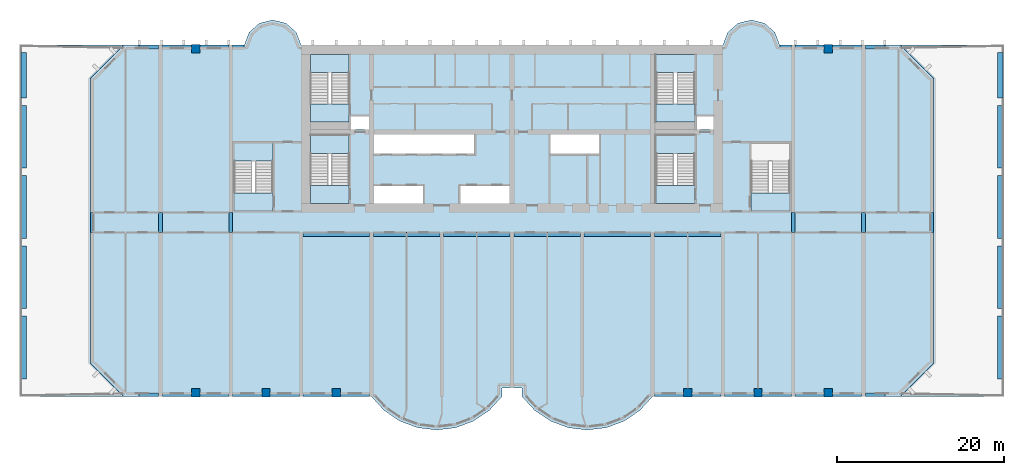
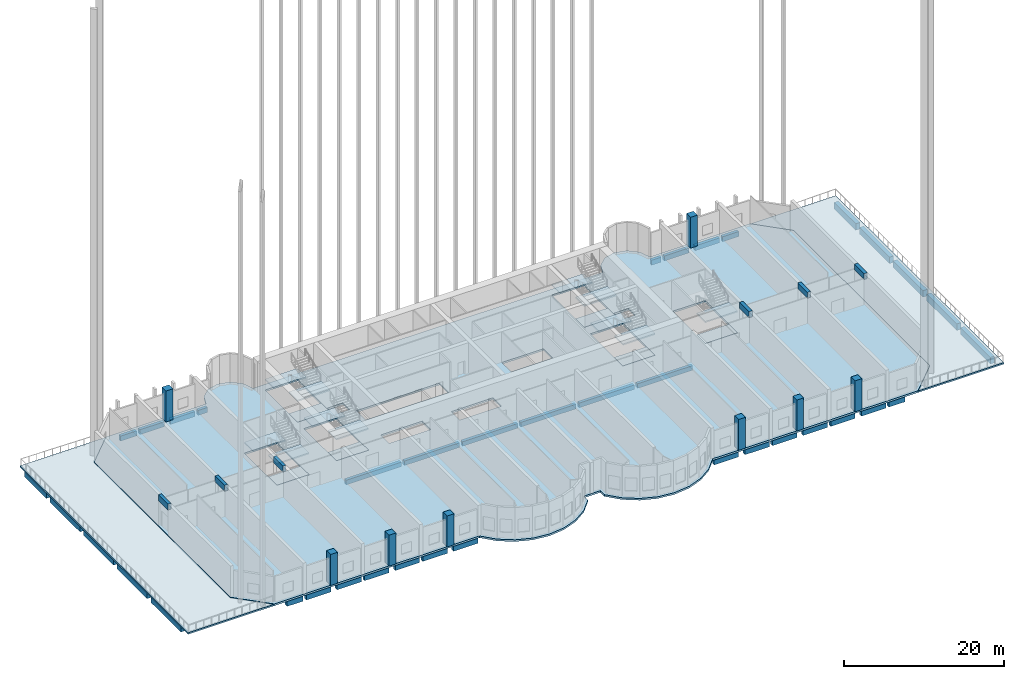
# One storey, part 1 of 11: 44 beams, 20 slabs, 8 columns, 6 elements without a shape of their own.
"""IFC4 building model written with IfcOpenShell, lengths in metres."""

from ifc_helpers import new_model, si_unit, direction, frame, origin, origin_2d, place, context, subcontext, project, spatial, polyline, rectangle, outline, extrude, source, transform, mapped, material, layer, layer_set, material_profile, profile_set, type_object, element, aggregate, save


model = new_model("IFC4")

# Units and contexts
model_context = context("Model", 3, precision=1e-05, world=origin(), true_north=direction((0.0, 1.0)))
body_context = subcontext(model_context, "Body", "Model", "MODEL_VIEW")
ifc_project = project(units=[si_unit("LENGTHUNIT", "METRE"), si_unit("AREAUNIT", "SQUARE_METRE"), si_unit("VOLUMEUNIT", "CUBIC_METRE"), si_unit("PLANEANGLEUNIT", "RADIAN"), si_unit("MASSUNIT", "GRAM", prefix="KILO")], contexts=[model_context])

# Site, building, storey
site_placement = place(None, origin())
site = spatial("IfcSite", under=ifc_project, at=site_placement, CompositionType="ELEMENT")
building_placement = place(site_placement, origin())
building = spatial("IfcBuilding", under=site, at=building_placement, Name="Vanashikhar Sky Hotel", CompositionType="ELEMENT")
storey_placement = place(building_placement, frame((0.0, 0.0, 18.0)))
storey = spatial("IfcBuildingStorey", under=building, at=storey_placement, Name="L03", CompositionType="ELEMENT", Elevation=18.0)

# Columns
ifc_material_1 = material(Name="Concrete M70", Category="concrete")
ifc_material_profile_1 = material_profile(ifc_material_1, rectangle(XDim=1.0, YDim=1.0, at=origin_2d()))
ifc_profile_set_1 = profile_set([ifc_material_profile_1], Name="RC 1000x1000 column Concrete M70")
column_type = type_object("IfcColumnType", Name="RC 1000x1000 column Concrete M70", PredefinedType="COLUMN", material=ifc_profile_set_1)
shared_shape_1 = source(origin(), body_context, "Body", "SweptSolid", [
    extrude(rectangle(XDim=1.0, YDim=1.0, at=origin_2d()), origin(), (0.0, 0.0, 1.0), 4.719970703125),
])
for number, where, z_axis, x_axis, name in (
    (1, (12.60009765625, 0.449951171875, 0.0), (0.0, 0.0, 1.0), (1.0, 0.0, 0.0), "CL-L03-CF02"),
    (2, (21.0, 0.449951171875, 0.0), (0.0, 0.0, 1.0), (1.0, 0.0, 0.0), "CL-L03-CF03"),
    (3, (29.39990234375, 0.449951171875, 0.0), (0.0, 0.0, 1.0), (1.0, 0.0, 0.0), "CL-L03-CF04"),
    (4, (71.39990234375, 0.449951171875, 0.0), (0.0, 0.0, 1.0), (1.0, 0.0, 0.0), "CL-L03-CF09"),
    (5, (79.800048828125, 0.449951171875, 0.0), (0.0, 0.0, 1.0), (1.0, 0.0, 0.0), "CL-L03-CF10"),
    (6, (88.199951171875, 0.449951171875, 0.0), (0.0, 0.0, 1.0), (1.0, 0.0, 0.0), "CL-L03-CF11"),
    (7, (12.60009765625, 41.550048828125, 0.0), (0.0, 0.0, 1.0), (1.0, 0.0, 0.0), "CL-L03-CR02"),
    (8, (88.199951171875, 41.550048828125, 0.0), (0.0, 0.0, 1.0), (1.0, 0.0, 0.0), "CL-L03-CR11"),
):
    element("IfcColumn", number, at=place(storey_placement, frame(where, z_axis=z_axis, x_axis=x_axis)), inside=storey, type_object=column_type, Name=name, PredefinedType="COLUMN", context=body_context, shape_type="MappedRepresentation", body=[
        mapped(shared_shape_1, transform((0.0, 0.0, 0.0), scale=1.0)),
    ])

# Beams
ifc_material_2 = material(Name="Concrete M50", Category="concrete")
ifc_material_profile_2 = material_profile(ifc_material_2, rectangle(XDim=0.449951171875, YDim=0.89990234375, at=origin_2d()))
ifc_profile_set_2 = profile_set([ifc_material_profile_2], Name="RC 450x900 beam Concrete M50")
beam_type_1 = type_object("IfcBeamType", Name="RC 450x900 beam Concrete M50", PredefinedType="LINTEL", material=ifc_profile_set_2)
shared_shape_2 = source(origin(), body_context, "Body", "SweptSolid", [
    extrude(rectangle(XDim=0.449951171875, YDim=0.89990234375, at=origin_2d()), origin(), (0.0, 0.0, 1.0), 2.39990234375),
])
for number, where, z_axis, x_axis, name in (
    (9, (0.22509765625, 19.60009765625, 4.27001953125), (0.0, 1.0, 0.0), (-1.0, 0.0, 0.0), "LB-L03-XW01"),
    (10, (8.39990234375, 19.60009765625, 4.27001953125), (0.0, 1.0, 0.0), (-1.0, 0.0, 0.0), "LB-L03-XW02"),
    (11, (16.800048828125, 19.60009765625, 4.27001953125), (0.0, 1.0, 0.0), (-1.0, 0.0, 0.0), "LB-L03-XW03"),
    (12, (84.0, 19.60009765625, 4.27001953125), (0.0, 1.0, 0.0), (-1.0, 0.0, 0.0), "LB-L03-XW11"),
    (13, (92.39990234375, 19.60009765625, 4.27001953125), (0.0, 1.0, 0.0), (-1.0, 0.0, 0.0), "LB-L03-XW12"),
    (14, (100.574951171875, 19.60009765625, 4.27001953125), (0.0, 1.0, 0.0), (-1.0, 0.0, 0.0), "LB-L03-XW13"),
):
    element("IfcBeam", number, at=place(storey_placement, frame(where, z_axis=z_axis, x_axis=x_axis)), inside=storey, type_object=beam_type_1, Name=name, PredefinedType="LINTEL", context=body_context, shape_type="MappedRepresentation", body=[
        mapped(shared_shape_2, transform((0.0, 0.0, 0.0), scale=1.0)),
    ])
ifc_material_profile_3 = material_profile(ifc_material_2, rectangle(XDim=0.449951171875, YDim=0.75, at=origin_2d()))
ifc_profile_set_3 = profile_set([ifc_material_profile_3], Name="RC 450x750 beam Concrete M50")
beam_type_2 = type_object("IfcBeamType", Name="RC 450x750 beam Concrete M50", PredefinedType="SPANDREL", material=ifc_profile_set_3)
shared_shape_3 = source(origin(), body_context, "Body", "SweptSolid", [
    extrude(rectangle(XDim=0.449951171875, YDim=0.75, at=origin_2d()), origin(), (0.0, 0.0, 1.0), 3.52490234375),
])
for number, where, z_axis, x_axis, name in (
    (15, (8.625, 0.22509765625, -0.655029296875), (1.0, 0.0, 0.0), (0.0, 1.0, 0.0), "EB-L03-F01"),
    (16, (13.050048828125, 0.22509765625, -0.655029296875), (1.0, 0.0, 0.0), (0.0, 1.0, 0.0), "EB-L03-F02"),
    (17, (25.425048828125, 0.22509765625, -0.655029296875), (1.0, 0.0, 0.0), (0.0, 1.0, 0.0), "EB-L03-F05"),
    (18, (29.85009765625, 0.22509765625, -0.655029296875), (1.0, 0.0, 0.0), (0.0, 1.0, 0.0), "EB-L03-F06"),
    (19, (67.425048828125, 0.22509765625, -0.655029296875), (1.0, 0.0, 0.0), (0.0, 1.0, 0.0), "EB-L03-F08"),
    (20, (71.85009765625, 0.22509765625, -0.655029296875), (1.0, 0.0, 0.0), (0.0, 1.0, 0.0), "EB-L03-F09"),
    (21, (80.25, 0.22509765625, -0.655029296875), (1.0, 0.0, 0.0), (0.0, 1.0, 0.0), "EB-L03-F11"),
    (22, (84.22509765625, 0.22509765625, -0.655029296875), (1.0, 0.0, 0.0), (0.0, 1.0, 0.0), "EB-L03-F12"),
    (23, (8.625, 41.77490234375, -0.655029296875), (1.0, 0.0, 0.0), (0.0, 1.0, 0.0), "EB-L03-R01"),
    (24, (13.050048828125, 41.77490234375, -0.655029296875), (1.0, 0.0, 0.0), (0.0, 1.0, 0.0), "EB-L03-R02"),
    (25, (84.22509765625, 41.77490234375, -0.655029296875), (1.0, 0.0, 0.0), (0.0, 1.0, 0.0), "EB-L03-R05"),
):
    element("IfcBeam", number, at=place(storey_placement, frame(where, z_axis=z_axis, x_axis=x_axis)), inside=storey, type_object=beam_type_2, Name=name, PredefinedType="SPANDREL", context=body_context, shape_type="MappedRepresentation", body=[
        mapped(shared_shape_3, transform((0.0, 0.0, 0.0), scale=1.0)),
    ])
shared_shape_4 = source(origin(), body_context, "Body", "SweptSolid", [
    extrude(rectangle(XDim=0.449951171875, YDim=0.75, at=origin_2d()), origin(), (0.0, 0.0, 1.0), 3.525146484375),
])
for number, where, z_axis, x_axis, name in (
    (26, (17.02490234375, 0.22509765625, -0.655029296875), (1.0, 0.0, 0.0), (0.0, 1.0, 0.0), "EB-L03-F03"),
    (27, (21.449951171875, 0.22509765625, -0.655029296875), (1.0, 0.0, 0.0), (0.0, 1.0, 0.0), "EB-L03-F04"),
    (28, (75.824951171875, 0.22509765625, -0.655029296875), (1.0, 0.0, 0.0), (0.0, 1.0, 0.0), "EB-L03-F10"),
    (29, (88.64990234375, 0.22509765625, -0.655029296875), (1.0, 0.0, 0.0), (0.0, 1.0, 0.0), "EB-L03-F13"),
    (30, (88.64990234375, 41.77490234375, -0.655029296875), (1.0, 0.0, 0.0), (0.0, 1.0, 0.0), "EB-L03-R06"),
):
    element("IfcBeam", number, at=place(storey_placement, frame(where, z_axis=z_axis, x_axis=x_axis)), inside=storey, type_object=beam_type_2, Name=name, PredefinedType="SPANDREL", context=body_context, shape_type="MappedRepresentation", body=[
        mapped(shared_shape_4, transform((0.0, 0.0, 0.0), scale=1.0)),
    ])
ifc_material_profile_4 = material_profile(ifc_material_2, rectangle(XDim=0.449951171875, YDim=0.75, at=origin_2d()))
ifc_profile_set_4 = profile_set([ifc_material_profile_4], Name="RC 450x750 cantilever beam Concrete M50")
beam_type_3 = type_object("IfcBeamType", Name="RC 450x750 cantilever beam Concrete M50", PredefinedType="SPANDREL", material=ifc_profile_set_4)
shared_shape_5 = source(origin(), body_context, "Body", "SweptSolid", [
    extrude(rectangle(XDim=0.449951171875, YDim=0.75, at=origin_2d()), origin(), (0.0, 0.0, 1.0), 2.330078125),
])
for number, where, z_axis, x_axis, name in (
    (31, (5.844970703125, 0.22509765625, -0.655029296875), (1.0, 0.0, 0.0), (0.0, 1.0, 0.0), "EB-L03-F07"),
    (32, (92.625, 0.22509765625, -0.655029296875), (1.0, 0.0, 0.0), (0.0, 1.0, 0.0), "EB-L03-F14"),
    (33, (5.844970703125, 41.77490234375, -0.655029296875), (1.0, 0.0, 0.0), (0.0, 1.0, 0.0), "EB-L03-R03"),
    (34, (92.625, 41.77490234375, -0.655029296875), (1.0, 0.0, 0.0), (0.0, 1.0, 0.0), "EB-L03-R08"),
):
    element("IfcBeam", number, at=place(storey_placement, frame(where, z_axis=z_axis, x_axis=x_axis)), inside=storey, type_object=beam_type_3, Name=name, PredefinedType="SPANDREL", context=body_context, shape_type="MappedRepresentation", body=[
        mapped(shared_shape_5, transform((0.0, 0.0, 0.0), scale=1.0)),
    ])
shared_shape_6 = source(origin(), body_context, "Body", "SweptSolid", [
    extrude(rectangle(XDim=0.449951171875, YDim=0.75, at=origin_2d()), origin(), (0.0, 0.0, 1.0), 1.375),
])
for number, where, z_axis, x_axis, name in (
    (35, (17.02490234375, 41.77490234375, -0.655029296875), (1.0, 0.0, 0.0), (0.0, 1.0, 0.0), "EB-L03-R04"),
    (36, (82.39990234375, 41.77490234375, -0.655029296875), (1.0, 0.0, 0.0), (0.0, 1.0, 0.0), "EB-L03-R07"),
):
    element("IfcBeam", number, at=place(storey_placement, frame(where, z_axis=z_axis, x_axis=x_axis)), inside=storey, type_object=beam_type_3, Name=name, PredefinedType="SPANDREL", context=body_context, shape_type="MappedRepresentation", body=[
        mapped(shared_shape_6, transform((0.0, 0.0, 0.0), scale=1.0)),
    ])
ifc_material_profile_5 = material_profile(ifc_material_2, rectangle(XDim=0.449951171875, YDim=0.699951171875, at=origin_2d()))
ifc_profile_set_5 = profile_set([ifc_material_profile_5], Name="RC 450x700 beam Concrete M50")
beam_type_4 = type_object("IfcBeamType", Name="RC 450x700 beam Concrete M50", PredefinedType="BEAM", material=ifc_profile_set_5)
shared_shape_7 = source(origin(), body_context, "Body", "SweptSolid", [
    extrude(rectangle(XDim=0.449951171875, YDim=0.699951171875, at=origin_2d()), origin(), (0.0, 0.0, 1.0), 7.949951171875),
])
for number, where, z_axis, x_axis, name in (
    (37, (25.425048828125, 19.375, -0.6298828125), (1.0, 0.0, 0.0), (0.0, 1.0, 0.0), "CB-L03-01"),
    (38, (33.824951171875, 19.375, -0.6298828125), (1.0, 0.0, 0.0), (0.0, 1.0, 0.0), "CB-L03-02"),
    (39, (42.22509765625, 19.375, -0.6298828125), (1.0, 0.0, 0.0), (0.0, 1.0, 0.0), "CB-L03-03"),
    (40, (50.625, 19.375, -0.6298828125), (1.0, 0.0, 0.0), (0.0, 1.0, 0.0), "CB-L03-04"),
    (41, (67.425048828125, 19.375, -0.6298828125), (1.0, 0.0, 0.0), (0.0, 1.0, 0.0), "CB-L03-06"),
):
    element("IfcBeam", number, at=place(storey_placement, frame(where, z_axis=z_axis, x_axis=x_axis)), inside=storey, type_object=beam_type_4, Name=name, PredefinedType="BEAM", context=body_context, shape_type="MappedRepresentation", body=[
        mapped(shared_shape_7, transform((0.0, 0.0, 0.0), scale=1.0)),
    ])
shared_shape_8 = source(origin(), body_context, "Body", "SweptSolid", [
    extrude(rectangle(XDim=0.449951171875, YDim=0.699951171875, at=origin_2d()), origin(), (0.0, 0.0, 1.0), 7.9501953125),
])
beam_placement = place(storey_placement, frame((59.02490234375, 19.375, -0.6298828125), z_axis=(1.0, 0.0, 0.0), x_axis=(0.0, 1.0, 0.0)))
element("IfcBeam", 42, at=beam_placement, inside=storey, type_object=beam_type_4, Name="CB-L03-05", PredefinedType="BEAM", context=body_context, shape_type="MappedRepresentation", body=[
    mapped(shared_shape_8, transform((0.0, 0.0, 0.0), scale=1.0)),
])
ifc_material_profile_6 = material_profile(ifc_material_2, rectangle(XDim=0.60009765625, YDim=1.0, at=origin_2d()))
ifc_profile_set_6 = profile_set([ifc_material_profile_6], Name="RC 600x1000 beam Concrete M50")
beam_type_5 = type_object("IfcBeamType", Name="RC 600x1000 beam Concrete M50", PredefinedType="SPANDREL", material=ifc_profile_set_6)
shared_shape_9 = source(origin(), body_context, "Body", "SweptSolid", [
    extrude(rectangle(XDim=0.60009765625, YDim=1.0, at=origin_2d()), origin(), (0.0, 0.0, 1.0), 7.5),
])
for number, where, z_axis, x_axis, name in (
    (43, (-7.949951171875, 2.10009765625, -0.780029296875), (0.0, 1.0, 0.0), (-1.0, 0.0, 0.0), "EB-L03-A101"),
    (44, (-7.949951171875, 10.5, -0.780029296875), (0.0, 1.0, 0.0), (-1.0, 0.0, 0.0), "EB-L03-A102"),
    (45, (-7.949951171875, 18.89990234375, -0.780029296875), (0.0, 1.0, 0.0), (-1.0, 0.0, 0.0), "EB-L03-A103"),
    (46, (-7.949951171875, 27.300048828125, -0.780029296875), (0.0, 1.0, 0.0), (-1.0, 0.0, 0.0), "EB-L03-A104"),
    (47, (108.75, 2.10009765625, -0.780029296875), (0.0, 1.0, 0.0), (-1.0, 0.0, 0.0), "EB-L03-A201"),
    (48, (108.75, 10.5, -0.780029296875), (0.0, 1.0, 0.0), (-1.0, 0.0, 0.0), "EB-L03-A202"),
    (49, (108.75, 18.89990234375, -0.780029296875), (0.0, 1.0, 0.0), (-1.0, 0.0, 0.0), "EB-L03-A203"),
    (50, (108.75, 27.300048828125, -0.780029296875), (0.0, 1.0, 0.0), (-1.0, 0.0, 0.0), "EB-L03-A204"),
):
    element("IfcBeam", number, at=place(storey_placement, frame(where, z_axis=z_axis, x_axis=x_axis)), inside=storey, type_object=beam_type_5, Name=name, PredefinedType="SPANDREL", context=body_context, shape_type="MappedRepresentation", body=[
        mapped(shared_shape_9, transform((0.0, 0.0, 0.0), scale=1.0)),
    ])
shared_shape_10 = source(origin(), body_context, "Body", "SweptSolid", [
    extrude(rectangle(XDim=0.60009765625, YDim=1.0, at=origin_2d()), origin(), (0.0, 0.0, 1.0), 5.400146484375),
])
for number, where, z_axis, x_axis, name in (
    (51, (-7.949951171875, 35.699951171875, -0.780029296875), (0.0, 1.0, 0.0), (-1.0, 0.0, 0.0), "EB-L03-A105"),
    (52, (108.75, 35.699951171875, -0.780029296875), (0.0, 1.0, 0.0), (-1.0, 0.0, 0.0), "EB-L03-A205"),
):
    element("IfcBeam", number, at=place(storey_placement, frame(where, z_axis=z_axis, x_axis=x_axis)), inside=storey, type_object=beam_type_5, Name=name, PredefinedType="SPANDREL", context=body_context, shape_type="MappedRepresentation", body=[
        mapped(shared_shape_10, transform((0.0, 0.0, 0.0), scale=1.0)),
    ])

# Slabs
ifc_material_3 = material(Name="Concrete M40", Category="concrete")
ifc_layer_1 = layer(ifc_material_3, 0.280029296875)
ifc_layer_set_1 = layer_set([ifc_layer_1], Name="Floor slab 280 mm")
slab_type_1 = type_object("IfcSlabType", Name="Floor slab 280 mm", PredefinedType="FLOOR", material=ifc_layer_set_1)
shared_shape_11 = source(origin(), body_context, "Body", "SweptSolid", [
    extrude(outline(polyline([(49.199951171875, 0.0), (49.199951171875, 1.0), (51.60009765625, 1.0), (51.60009765625, 0.0), (53.133056640625, -1.674072265625), (55.01708984375, -2.94189453125), (57.14599609375, -3.73193359375), (59.39990234375, -4.0), (61.654052734375, -3.73193359375), (63.782958984375, -2.94189453125), (65.6669921875, -1.674072265625), (67.199951171875, 0.0), (96.800048828125, 0.0), (100.800048828125, 4.0), (100.800048828125, 38.0), (96.800048828125, 42.0), (82.39990234375, 42.0), (81.81494140625, 43.527099609375), (80.587890625, 44.610107421875), (79.0, 45.0), (77.412109375, 44.610107421875), (76.18505859375, 43.527099609375), (75.60009765625, 42.0), (25.199951171875, 42.0), (24.614990234375, 43.527099609375), (23.387939453125, 44.610107421875), (21.800048828125, 45.0), (20.2119140625, 44.610107421875), (18.985107421875, 43.527099609375), (18.39990234375, 42.0), (4.0, 42.0), (0.0, 38.0), (0.0, 4.0), (4.0, 0.0), (33.60009765625, 0.0), (35.133056640625, -1.674072265625), (37.01708984375, -2.94189453125), (39.14599609375, -3.73193359375), (41.39990234375, -4.0), (43.654052734375, -3.73193359375), (45.782958984375, -2.94189453125), (47.6669921875, -1.674072265625), (49.199951171875, 0.0)]), holes=[polyline([(33.300048828125, 33.60009765625), (31.050048828125, 33.60009765625), (31.050048828125, 31.89990234375), (33.300048828125, 31.89990234375), (33.300048828125, 33.60009765625)]), polyline([(33.89990234375, 25.199951171875), (33.89990234375, 23.10009765625), (39.89990234375, 23.10009765625), (39.89990234375, 25.199951171875), (33.89990234375, 25.199951171875)]), polyline([(33.89990234375, 31.300048828125), (33.89990234375, 29.0), (45.89990234375, 29.0), (45.89990234375, 31.300048828125), (33.89990234375, 31.300048828125)]), polyline([(44.10009765625, 25.199951171875), (44.10009765625, 23.10009765625), (50.10009765625, 23.10009765625), (50.10009765625, 25.199951171875), (44.10009765625, 25.199951171875)]), polyline([(54.89990234375, 31.300048828125), (54.89990234375, 29.0), (60.89990234375, 29.0), (60.89990234375, 31.300048828125), (54.89990234375, 31.300048828125)]), polyline([(74.5, 33.60009765625), (72.35009765625, 33.60009765625), (72.35009765625, 31.89990234375), (74.5, 31.89990234375), (74.5, 33.60009765625)]), polyline([(30.949951171875, 23.10009765625), (30.949951171875, 31.199951171875), (26.300048828125, 31.199951171875), (26.300048828125, 23.10009765625), (30.949951171875, 23.10009765625)]), polyline([(72.25, 23.10009765625), (72.25, 31.199951171875), (67.60009765625, 31.199951171875), (67.60009765625, 23.10009765625), (72.25, 23.10009765625)]), polyline([(30.949951171875, 32.800048828125), (30.949951171875, 40.89990234375), (26.300048828125, 40.89990234375), (26.300048828125, 32.800048828125), (30.949951171875, 32.800048828125)]), polyline([(72.25, 32.800048828125), (72.25, 40.89990234375), (67.60009765625, 40.89990234375), (67.60009765625, 32.800048828125), (72.25, 32.800048828125)]), polyline([(83.60009765625, 22.199951171875), (83.60009765625, 30.300048828125), (78.949951171875, 30.300048828125), (78.949951171875, 22.199951171875), (83.60009765625, 22.199951171875)]), polyline([(21.85009765625, 22.199951171875), (21.85009765625, 30.300048828125), (17.199951171875, 30.300048828125), (17.199951171875, 22.199951171875), (21.85009765625, 22.199951171875)])]), origin(), (0.0, 0.0, 1.0), 0.280029296875),
])
slab_1_placement = place(storey_placement, frame((0.0, 0.0, -0.280029296875)))
element("IfcSlab", 53, at=slab_1_placement, inside=storey, type_object=slab_type_1, Name="Floor slab L03", PredefinedType="FLOOR", context=body_context, shape_type="MappedRepresentation", body=[
    mapped(shared_shape_11, transform((0.0, 0.0, 0.0), scale=1.0)),
])
ifc_layer_2 = layer(ifc_material_3, 0.22998046875)
ifc_layer_set_2 = layer_set([ifc_layer_2], Name="Terrace roof slab 230 mm")
slab_type_2 = type_object("IfcSlabType", Name="Terrace roof slab 230 mm", PredefinedType="ROOF", material=ifc_layer_set_2)
shared_shape_12 = source(origin(), body_context, "Body", "SweptSolid", [
    extrude(outline(polyline([(3.9951171875, 0.001953125), (-0.001953125, 3.9990234375), (-0.001953125, 38.0009765625), (3.9951171875, 41.998046875), (-8.39794921875, 41.998046875), (-8.39794921875, 0.001953125), (3.9951171875, 0.001953125)])), origin(), (0.0, 0.0, 1.0), 0.22998046875),
])
slab_2_placement = place(storey_placement, frame((0.0, 0.0, -0.280029296875)))
element("IfcSlab", 54, at=slab_2_placement, inside=storey, type_object=slab_type_2, Name="Terrace roof slab L03 1", PredefinedType="ROOF", context=body_context, shape_type="MappedRepresentation", body=[
    mapped(shared_shape_12, transform((0.0, 0.0, 0.0), scale=1.0)),
])
shared_shape_13 = source(origin(), body_context, "Body", "SweptSolid", [
    extrude(outline(polyline([(96.804931640625, 41.998046875), (100.802001953125, 38.0009765625), (100.802001953125, 3.9990234375), (96.804931640625, 0.001953125), (109.197998046875, 0.001953125), (109.197998046875, 41.998046875), (96.804931640625, 41.998046875)])), origin(), (0.0, 0.0, 1.0), 0.22998046875),
])
slab_3_placement = place(storey_placement, frame((0.0, 0.0, -0.280029296875)))
element("IfcSlab", 55, at=slab_3_placement, inside=storey, type_object=slab_type_2, Name="Terrace roof slab L03 2", PredefinedType="ROOF", context=body_context, shape_type="MappedRepresentation", body=[
    mapped(shared_shape_13, transform((0.0, 0.0, 0.0), scale=1.0)),
])

# Stair, slabs
stair_type = type_object("IfcStairType", Name="Exit stair 2150", PredefinedType="DOUBLE_RETURN_STAIR", material=ifc_material_3)
stair_1_placement = place(storey_placement, origin())
stair_1 = element("IfcStair", 56, at=stair_1_placement, inside=storey, type_object=stair_type, Name="L03 Exit stair 1", PredefinedType="DOUBLE_RETURN_STAIR")
ifc_layer_3 = layer(ifc_material_3, 0.199951171875)
ifc_layer_set_3 = layer_set([ifc_layer_3], Name="Stair landing 200")
slab_type_3 = type_object("IfcSlabType", Name="Stair landing 200", PredefinedType="LANDING", material=ifc_layer_set_3)
shared_shape_14 = source(origin(), body_context, "Body", "SweptSolid", [
    extrude(outline(polyline([(30.949951171875, 23.10009765625), (30.949951171875, 25.25), (26.300048828125, 25.25), (26.300048828125, 23.10009765625), (30.949951171875, 23.10009765625)])), origin(), (0.0, 0.0, 1.0), 0.199951171875),
])
slab_4_placement = place(storey_placement, frame((0.0, 0.0, 3.13330078125)))
slab_4 = element("IfcSlab", 57, at=slab_4_placement, type_object=slab_type_3, Name="ST-C1 landing 2", PredefinedType="LANDING", context=body_context, shape_type="MappedRepresentation", body=[
    mapped(shared_shape_14, transform((0.0, 0.0, 0.0), scale=1.0)),
])
shared_shape_15 = source(origin(), body_context, "Body", "SweptSolid", [
    extrude(outline(polyline([(30.949951171875, 29.050048828125), (30.949951171875, 31.199951171875), (26.300048828125, 31.199951171875), (26.300048828125, 29.050048828125), (30.949951171875, 29.050048828125)])), origin(), (0.0, 0.0, 1.0), 0.2001953125),
])
slab_5_placement = place(storey_placement, frame((0.0, 0.0, 1.466552734375)))
slab_5 = element("IfcSlab", 58, at=slab_5_placement, type_object=slab_type_3, Name="ST-C1 landing 1", PredefinedType="LANDING", context=body_context, shape_type="MappedRepresentation", body=[
    mapped(shared_shape_15, transform((0.0, 0.0, 0.0), scale=1.0)),
])
aggregate(stair_1, [slab_5, slab_4])

# Slab
ifc_layer_4 = layer(ifc_material_3, 0.280029296875)
ifc_layer_set_4 = layer_set([ifc_layer_4], Name="Stair floor landing 280")
slab_type_4 = type_object("IfcSlabType", Name="Stair floor landing 280", PredefinedType="LANDING", material=ifc_layer_set_4)
shared_shape_16 = source(origin(), body_context, "Body", "SweptSolid", [
    extrude(outline(polyline([(30.949951171875, 23.10009765625), (30.949951171875, 25.25), (26.300048828125, 25.25), (26.300048828125, 23.10009765625), (30.949951171875, 23.10009765625)])), origin(), (0.0, 0.0, 1.0), 0.280029296875),
])
slab_6_placement = place(storey_placement, frame((0.0, 0.0, -0.280029296875)))
element("IfcSlab", 59, at=slab_6_placement, inside=storey, type_object=slab_type_4, Name="Exit stair 1 floor landing", PredefinedType="LANDING", context=body_context, shape_type="MappedRepresentation", body=[
    mapped(shared_shape_16, transform((0.0, 0.0, 0.0), scale=1.0)),
])

# Stair, slabs
stair_2_placement = place(storey_placement, origin())
stair_2 = element("IfcStair", 60, at=stair_2_placement, inside=storey, type_object=stair_type, Name="L03 Exit stair 2", PredefinedType="DOUBLE_RETURN_STAIR")
shared_shape_17 = source(origin(), body_context, "Body", "SweptSolid", [
    extrude(outline(polyline([(72.25, 23.10009765625), (72.25, 25.25), (67.60009765625, 25.25), (67.60009765625, 23.10009765625), (72.25, 23.10009765625)])), origin(), (0.0, 0.0, 1.0), 0.199951171875),
])
slab_7_placement = place(storey_placement, frame((0.0, 0.0, 3.13330078125)))
slab_7 = element("IfcSlab", 61, at=slab_7_placement, type_object=slab_type_3, Name="ST-C2 landing 2", PredefinedType="LANDING", context=body_context, shape_type="MappedRepresentation", body=[
    mapped(shared_shape_17, transform((0.0, 0.0, 0.0), scale=1.0)),
])
shared_shape_18 = source(origin(), body_context, "Body", "SweptSolid", [
    extrude(outline(polyline([(72.25, 29.050048828125), (72.25, 31.199951171875), (67.60009765625, 31.199951171875), (67.60009765625, 29.050048828125), (72.25, 29.050048828125)])), origin(), (0.0, 0.0, 1.0), 0.2001953125),
])
slab_8_placement = place(storey_placement, frame((0.0, 0.0, 1.466552734375)))
slab_8 = element("IfcSlab", 62, at=slab_8_placement, type_object=slab_type_3, Name="ST-C2 landing 1", PredefinedType="LANDING", context=body_context, shape_type="MappedRepresentation", body=[
    mapped(shared_shape_18, transform((0.0, 0.0, 0.0), scale=1.0)),
])
aggregate(stair_2, [slab_8, slab_7])

# Slab
shared_shape_19 = source(origin(), body_context, "Body", "SweptSolid", [
    extrude(outline(polyline([(72.25, 23.10009765625), (72.25, 25.25), (67.60009765625, 25.25), (67.60009765625, 23.10009765625), (72.25, 23.10009765625)])), origin(), (0.0, 0.0, 1.0), 0.280029296875),
])
slab_9_placement = place(storey_placement, frame((0.0, 0.0, -0.280029296875)))
element("IfcSlab", 63, at=slab_9_placement, inside=storey, type_object=slab_type_4, Name="Exit stair 2 floor landing", PredefinedType="LANDING", context=body_context, shape_type="MappedRepresentation", body=[
    mapped(shared_shape_19, transform((0.0, 0.0, 0.0), scale=1.0)),
])

# Stair, slabs
stair_3_placement = place(storey_placement, origin())
stair_3 = element("IfcStair", 64, at=stair_3_placement, inside=storey, type_object=stair_type, Name="L03 Exit stair 3", PredefinedType="DOUBLE_RETURN_STAIR")
shared_shape_20 = source(origin(), body_context, "Body", "SweptSolid", [
    extrude(outline(polyline([(21.85009765625, 22.199951171875), (21.85009765625, 24.35009765625), (17.199951171875, 24.35009765625), (17.199951171875, 22.199951171875), (21.85009765625, 22.199951171875)])), origin(), (0.0, 0.0, 1.0), 0.199951171875),
])
slab_10_placement = place(storey_placement, frame((0.0, 0.0, 3.13330078125)))
slab_10 = element("IfcSlab", 65, at=slab_10_placement, type_object=slab_type_3, Name="ST-W landing 2", PredefinedType="LANDING", context=body_context, shape_type="MappedRepresentation", body=[
    mapped(shared_shape_20, transform((0.0, 0.0, 0.0), scale=1.0)),
])
shared_shape_21 = source(origin(), body_context, "Body", "SweptSolid", [
    extrude(outline(polyline([(21.85009765625, 28.14990234375), (21.85009765625, 30.300048828125), (17.199951171875, 30.300048828125), (17.199951171875, 28.14990234375), (21.85009765625, 28.14990234375)])), origin(), (0.0, 0.0, 1.0), 0.2001953125),
])
slab_11_placement = place(storey_placement, frame((0.0, 0.0, 1.466552734375)))
slab_11 = element("IfcSlab", 66, at=slab_11_placement, type_object=slab_type_3, Name="ST-W landing 1", PredefinedType="LANDING", context=body_context, shape_type="MappedRepresentation", body=[
    mapped(shared_shape_21, transform((0.0, 0.0, 0.0), scale=1.0)),
])
aggregate(stair_3, [slab_11, slab_10])

# Slab
shared_shape_22 = source(origin(), body_context, "Body", "SweptSolid", [
    extrude(outline(polyline([(21.85009765625, 22.199951171875), (21.85009765625, 24.35009765625), (17.199951171875, 24.35009765625), (17.199951171875, 22.199951171875), (21.85009765625, 22.199951171875)])), origin(), (0.0, 0.0, 1.0), 0.280029296875),
])
slab_12_placement = place(storey_placement, frame((0.0, 0.0, -0.280029296875)))
element("IfcSlab", 67, at=slab_12_placement, inside=storey, type_object=slab_type_4, Name="Exit stair 3 floor landing", PredefinedType="LANDING", context=body_context, shape_type="MappedRepresentation", body=[
    mapped(shared_shape_22, transform((0.0, 0.0, 0.0), scale=1.0)),
])

# Stair, slab
stair_4_placement = place(storey_placement, origin())
stair_4 = element("IfcStair", 68, at=stair_4_placement, inside=storey, type_object=stair_type, Name="L03 Exit stair 4", PredefinedType="DOUBLE_RETURN_STAIR")
shared_shape_23 = source(origin(), body_context, "Body", "SweptSolid", [
    extrude(outline(polyline([(83.60009765625, 22.199951171875), (83.60009765625, 24.35009765625), (78.949951171875, 24.35009765625), (78.949951171875, 22.199951171875), (83.60009765625, 22.199951171875)])), origin(), (0.0, 0.0, 1.0), 0.199951171875),
])
slab_13_placement = place(storey_placement, frame((0.0, 0.0, 3.13330078125)))
slab_13 = element("IfcSlab", 69, at=slab_13_placement, type_object=slab_type_3, Name="ST-E landing 2", PredefinedType="LANDING", context=body_context, shape_type="MappedRepresentation", body=[
    mapped(shared_shape_23, transform((0.0, 0.0, 0.0), scale=1.0)),
])
aggregate(stair_4, [slab_13])

# Slab
shared_shape_24 = source(origin(), body_context, "Body", "SweptSolid", [
    extrude(outline(polyline([(83.60009765625, 22.199951171875), (83.60009765625, 24.35009765625), (78.949951171875, 24.35009765625), (78.949951171875, 22.199951171875), (83.60009765625, 22.199951171875)])), origin(), (0.0, 0.0, 1.0), 0.280029296875),
])
slab_14_placement = place(storey_placement, frame((0.0, 0.0, -0.280029296875)))
element("IfcSlab", 70, at=slab_14_placement, inside=storey, type_object=slab_type_4, Name="Exit stair 4 floor landing", PredefinedType="LANDING", context=body_context, shape_type="MappedRepresentation", body=[
    mapped(shared_shape_24, transform((0.0, 0.0, 0.0), scale=1.0)),
])

# Stair, slabs
stair_5_placement = place(storey_placement, origin())
stair_5 = element("IfcStair", 71, at=stair_5_placement, inside=storey, type_object=stair_type, Name="L03 Exit stair 5", PredefinedType="DOUBLE_RETURN_STAIR")
shared_shape_25 = source(origin(), body_context, "Body", "SweptSolid", [
    extrude(outline(polyline([(30.949951171875, 32.800048828125), (30.949951171875, 34.949951171875), (26.300048828125, 34.949951171875), (26.300048828125, 32.800048828125), (30.949951171875, 32.800048828125)])), origin(), (0.0, 0.0, 1.0), 0.199951171875),
])
slab_15_placement = place(storey_placement, frame((0.0, 0.0, 3.13330078125)))
slab_15 = element("IfcSlab", 72, at=slab_15_placement, type_object=slab_type_3, Name="ST-C3 landing 2", PredefinedType="LANDING", context=body_context, shape_type="MappedRepresentation", body=[
    mapped(shared_shape_25, transform((0.0, 0.0, 0.0), scale=1.0)),
])
shared_shape_26 = source(origin(), body_context, "Body", "SweptSolid", [
    extrude(outline(polyline([(30.949951171875, 38.75), (30.949951171875, 40.89990234375), (26.300048828125, 40.89990234375), (26.300048828125, 38.75), (30.949951171875, 38.75)])), origin(), (0.0, 0.0, 1.0), 0.2001953125),
])
slab_16_placement = place(storey_placement, frame((0.0, 0.0, 1.466552734375)))
slab_16 = element("IfcSlab", 73, at=slab_16_placement, type_object=slab_type_3, Name="ST-C3 landing 1", PredefinedType="LANDING", context=body_context, shape_type="MappedRepresentation", body=[
    mapped(shared_shape_26, transform((0.0, 0.0, 0.0), scale=1.0)),
])
aggregate(stair_5, [slab_16, slab_15])

# Slab
shared_shape_27 = source(origin(), body_context, "Body", "SweptSolid", [
    extrude(outline(polyline([(30.949951171875, 32.800048828125), (30.949951171875, 34.949951171875), (26.300048828125, 34.949951171875), (26.300048828125, 32.800048828125), (30.949951171875, 32.800048828125)])), origin(), (0.0, 0.0, 1.0), 0.280029296875),
])
slab_17_placement = place(storey_placement, frame((0.0, 0.0, -0.280029296875)))
element("IfcSlab", 74, at=slab_17_placement, inside=storey, type_object=slab_type_4, Name="Exit stair 5 floor landing", PredefinedType="LANDING", context=body_context, shape_type="MappedRepresentation", body=[
    mapped(shared_shape_27, transform((0.0, 0.0, 0.0), scale=1.0)),
])

# Stair, slabs
stair_6_placement = place(storey_placement, origin())
stair_6 = element("IfcStair", 75, at=stair_6_placement, inside=storey, type_object=stair_type, Name="L03 Exit stair 6", PredefinedType="DOUBLE_RETURN_STAIR")
shared_shape_28 = source(origin(), body_context, "Body", "SweptSolid", [
    extrude(outline(polyline([(72.25, 32.800048828125), (72.25, 34.949951171875), (67.60009765625, 34.949951171875), (67.60009765625, 32.800048828125), (72.25, 32.800048828125)])), origin(), (0.0, 0.0, 1.0), 0.199951171875),
])
slab_18_placement = place(storey_placement, frame((0.0, 0.0, 3.13330078125)))
slab_18 = element("IfcSlab", 76, at=slab_18_placement, type_object=slab_type_3, Name="ST-C4 landing 2", PredefinedType="LANDING", context=body_context, shape_type="MappedRepresentation", body=[
    mapped(shared_shape_28, transform((0.0, 0.0, 0.0), scale=1.0)),
])
shared_shape_29 = source(origin(), body_context, "Body", "SweptSolid", [
    extrude(outline(polyline([(72.25, 38.75), (72.25, 40.89990234375), (67.60009765625, 40.89990234375), (67.60009765625, 38.75), (72.25, 38.75)])), origin(), (0.0, 0.0, 1.0), 0.2001953125),
])
slab_19_placement = place(storey_placement, frame((0.0, 0.0, 1.466552734375)))
slab_19 = element("IfcSlab", 77, at=slab_19_placement, type_object=slab_type_3, Name="ST-C4 landing 1", PredefinedType="LANDING", context=body_context, shape_type="MappedRepresentation", body=[
    mapped(shared_shape_29, transform((0.0, 0.0, 0.0), scale=1.0)),
])
aggregate(stair_6, [slab_19, slab_18])

# Slab
shared_shape_30 = source(origin(), body_context, "Body", "SweptSolid", [
    extrude(outline(polyline([(72.25, 32.800048828125), (72.25, 34.949951171875), (67.60009765625, 34.949951171875), (67.60009765625, 32.800048828125), (72.25, 32.800048828125)])), origin(), (0.0, 0.0, 1.0), 0.280029296875),
])
slab_20_placement = place(storey_placement, frame((0.0, 0.0, -0.280029296875)))
element("IfcSlab", 78, at=slab_20_placement, inside=storey, type_object=slab_type_4, Name="Exit stair 6 floor landing", PredefinedType="LANDING", context=body_context, shape_type="MappedRepresentation", body=[
    mapped(shared_shape_30, transform((0.0, 0.0, 0.0), scale=1.0)),
])

save(model, "model.ifc")
